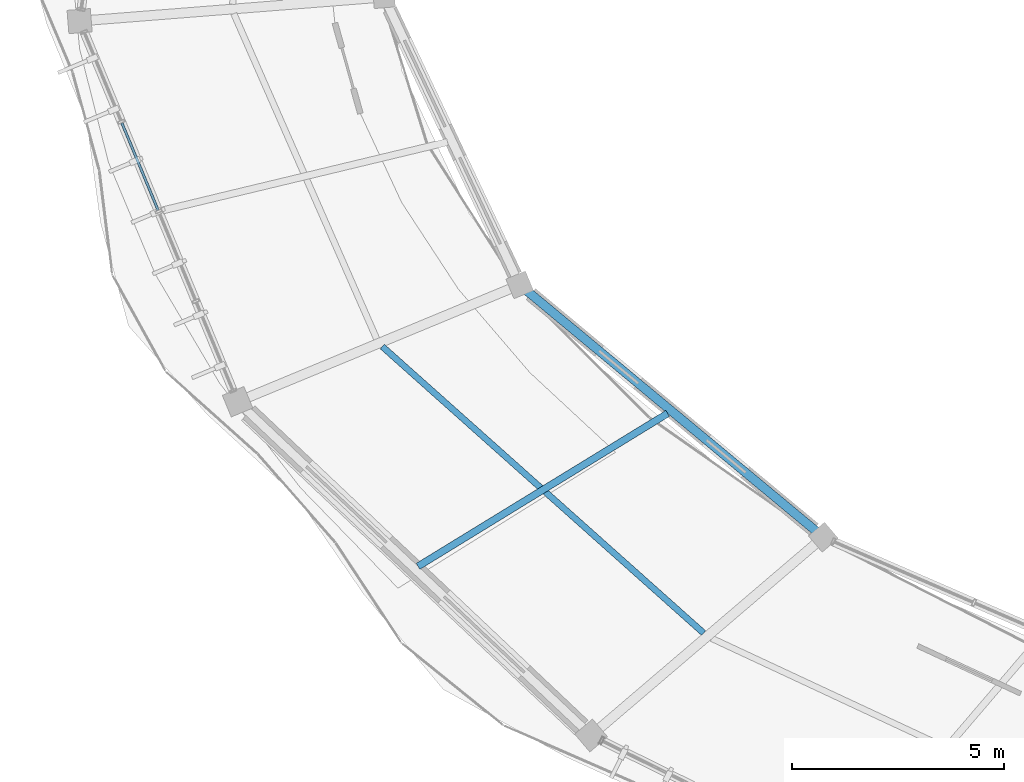
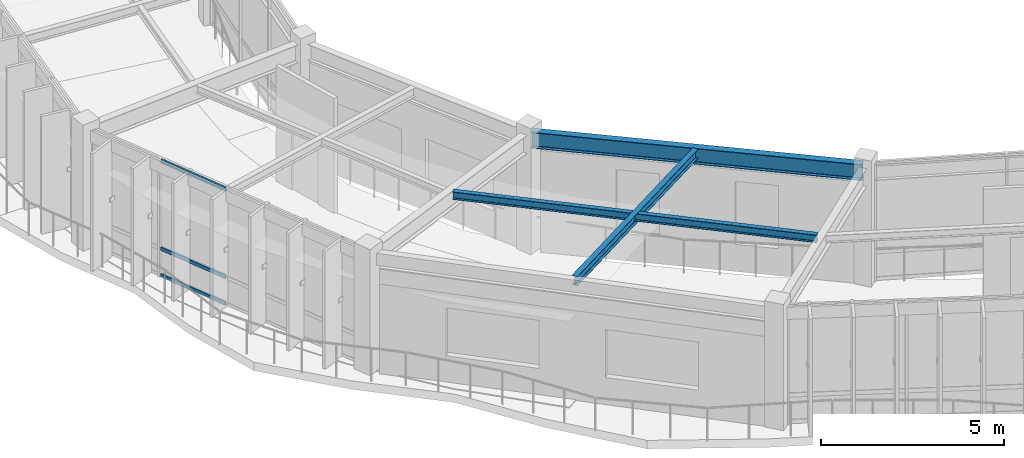
# One storey, part 9 of 79: 3 beams, 3 members, 1 element without a shape of its own.
"""IFC4 building model written with IfcOpenShell, lengths in metres."""

from ifc_helpers import new_model, si_unit, direction, frame, origin, origin_2d, place, context, subcontext, project, spatial, hollow_rectangle, i_section, extrude, material, material_profile, profile_set, type_object, element, aggregate, save


model = new_model("IFC4")

# Units and contexts
model_context = context("Model", 3, precision=1e-05, world=origin(), true_north=direction((0.0, 1.0)))
body_context = subcontext(model_context, "Body", "Model", "MODEL_VIEW")
ifc_project = project(units=[si_unit("LENGTHUNIT", "METRE"), si_unit("AREAUNIT", "SQUARE_METRE"), si_unit("VOLUMEUNIT", "CUBIC_METRE"), si_unit("PLANEANGLEUNIT", "RADIAN"), si_unit("MASSUNIT", "GRAM", prefix="KILO"), si_unit("THERMODYNAMICTEMPERATUREUNIT", "KELVIN"), si_unit("POWERUNIT", "WATT")], contexts=[model_context])

# Site, building, storey
site_placement = place(None, origin())
site = spatial("IfcSite", under=ifc_project, at=site_placement, CompositionType="ELEMENT")
building_placement = place(site_placement, origin())
building = spatial("IfcBuilding", under=site, at=building_placement, Name="Darbajah Civic Hall", CompositionType="ELEMENT")
storey_placement = place(building_placement, frame((0.0, 0.0, 22.199951171875)))
storey = spatial("IfcBuildingStorey", under=building, at=storey_placement, Name="L05", CompositionType="ELEMENT", Elevation=22.199951171875)

# Curtain wall, members
ifc_material_1 = material(Name="Anodised Bronze Aluminium and Low-E Glazing", Category="aluminium")
curtain_wall_type = type_object("IfcCurtainWallType", Name="Unitised Curtain Wall CW-82 9200x3900", PredefinedType="USERDEFINED", material=ifc_material_1)
curtain_wall_placement = place(storey_placement, origin())
curtain_wall = element("IfcCurtainWall", 1, at=curtain_wall_placement, inside=storey, type_object=curtain_wall_type, Name="L05 unitised curtain wall CW-V1O-L05-10", ObjectType="UNITISED CURTAIN WALL", PredefinedType="USERDEFINED")
ifc_material_2 = material(Name="Anodised Bronze Aluminium", Category="aluminium")
ifc_material_profile_1 = material_profile(ifc_material_2, hollow_rectangle(XDim=0.06005859375, YDim=0.1201171875, WallThickness=0.003173828125, at=origin_2d()), Name="ALU TRANSOM 60x120")
ifc_profile_set_1 = profile_set([ifc_material_profile_1], Name="Anodised Bronze Aluminium")
member_type = type_object("IfcMemberType", Name="ALU TRANSOM 60x120", PredefinedType="USERDEFINED", material=ifc_profile_set_1)
member_1_placement = place(storey_placement, frame((39.2548828125, 85.08154296875, 0.06005859375), z_axis=(0.383358207666, -0.923599742646, 0.0), x_axis=(0.923599742646, 0.383358207666, 0.0)))
member_1 = element("IfcMember", 2, at=member_1_placement, type_object=member_type, Name="CW-V1O-L05-10 transom 2.1", ObjectType="TRANSOM", PredefinedType="USERDEFINED", context=body_context, shape_type="SweptSolid", body=[
    extrude(hollow_rectangle(XDim=0.06005859375, YDim=0.1201171875, WallThickness=0.003173828125, at=origin_2d()), origin(), (0.0, 0.0, 1.0), 2.220703125),
])
member_2_placement = place(storey_placement, frame((39.2548828125, 85.08154296875, 0.949951171875), z_axis=(0.383358207666, -0.923599742646, 0.0), x_axis=(0.923599742646, 0.383358207666, 0.0)))
member_2 = element("IfcMember", 3, at=member_2_placement, type_object=member_type, Name="CW-V1O-L05-10 transom 2.2", ObjectType="TRANSOM", PredefinedType="USERDEFINED", context=body_context, shape_type="SweptSolid", body=[
    extrude(hollow_rectangle(XDim=0.06005859375, YDim=0.1201171875, WallThickness=0.003173828125, at=origin_2d()), origin(), (0.0, 0.0, 1.0), 2.220703125),
])
member_3_placement = place(storey_placement, frame((39.2548828125, 85.08154296875, 3.860107421875), z_axis=(0.383358207666, -0.923599742646, 0.0), x_axis=(0.923599742646, 0.383358207666, 0.0)))
member_3 = element("IfcMember", 4, at=member_3_placement, type_object=member_type, Name="CW-V1O-L05-10 transom 2.3", ObjectType="TRANSOM", PredefinedType="USERDEFINED", context=body_context, shape_type="SweptSolid", body=[
    extrude(hollow_rectangle(XDim=0.06005859375, YDim=0.1201171875, WallThickness=0.003173828125, at=origin_2d()), origin(), (0.0, 0.0, 1.0), 2.220703125),
])
aggregate(curtain_wall, [member_1, member_2, member_3])

# Beams
ifc_material_3 = material(Name="Steel S355JR", Category="steel")
ifc_material_profile_2 = material_profile(ifc_material_3, i_section(OverallWidth=0.146484375, OverallDepth=0.256103515625, WebThickness=0.00634765625, FlangeThickness=0.010986328125, FilletRadius=0.007568359375, at=origin_2d()), Name="UB 254x146x37")
ifc_profile_set_2 = profile_set([ifc_material_profile_2], Name="Steel S355JR")
beam_type_1 = type_object("IfcBeamType", Name="UB 254x146x37", PredefinedType="JOIST", material=ifc_profile_set_2)
beam_1_placement = place(storey_placement, frame((45.394775390625, 79.811279296875, 3.7919921875), z_axis=(0.74637325764, -0.665527580405, 0.0), x_axis=(0.665527580405, 0.74637325764, 0.0)))
element("IfcBeam", 5, at=beam_1_placement, inside=storey, type_object=beam_type_1, Name="L05 beam SJ-254", PredefinedType="JOIST", context=body_context, shape_type="SweptSolid", body=[
    extrude(i_section(OverallWidth=0.146484375, OverallDepth=0.256103515625, WebThickness=0.00634765625, FlangeThickness=0.010986328125, FilletRadius=0.007568359375, at=origin_2d()), origin(), (0.0, 0.0, 1.0), 10.149658203125),
])
ifc_material_profile_3 = material_profile(ifc_material_3, i_section(OverallWidth=0.165771484375, OverallDepth=0.306640625, WebThickness=0.006591796875, FlangeThickness=0.01171875, FilletRadius=0.0087890625, at=origin_2d()), Name="UB 305x165x46")
ifc_profile_set_3 = profile_set([ifc_material_profile_3], Name="Steel S355JR")
beam_type_2 = type_object("IfcBeamType", Name="UB 305x165x46", PredefinedType="JOIST", material=ifc_profile_set_3)
beam_2_placement = place(storey_placement, frame((52.123779296875, 78.236328125, 3.766845703125), z_axis=(-0.852640388105, -0.522498199588, 0.0), x_axis=(0.522498199588, -0.852640388105, 0.0)))
element("IfcBeam", 6, at=beam_2_placement, inside=storey, type_object=beam_type_2, Name="L05 beam SJ-305", PredefinedType="JOIST", context=body_context, shape_type="SweptSolid", body=[
    extrude(i_section(OverallWidth=0.165771484375, OverallDepth=0.306640625, WebThickness=0.006591796875, FlangeThickness=0.01171875, FilletRadius=0.0087890625, at=origin_2d()), origin(), (0.0, 0.0, 1.0), 6.9033203125),
])
ifc_material_profile_4 = material_profile(ifc_material_3, i_section(OverallWidth=0.209228515625, OverallDepth=0.533203125, WebThickness=0.010009765625, FlangeThickness=0.015625, FilletRadius=0.0126953125, at=origin_2d()), Name="UB 533x210x92")
ifc_profile_set_4 = profile_set([ifc_material_profile_4], Name="Steel S355JR")
beam_type_3 = type_object("IfcBeamType", Name="UB 533x210x92", PredefinedType="BEAM", material=ifc_profile_set_4)
beam_3_placement = place(storey_placement, frame((48.695556640625, 81.215087890625, 3.653564453125), z_axis=(0.769165350471, -0.63904981311, 0.0), x_axis=(0.63904981311, 0.769165350471, 0.0)))
element("IfcBeam", 7, at=beam_3_placement, inside=storey, type_object=beam_type_3, Name="L05 beam SB-533", PredefinedType="BEAM", context=body_context, shape_type="SweptSolid", body=[
    extrude(i_section(OverallWidth=0.209228515625, OverallDepth=0.533203125, WebThickness=0.010009765625, FlangeThickness=0.015625, FilletRadius=0.0126953125, at=origin_2d()), origin(), (0.0, 0.0, 1.0), 9.14892578125),
])

save(model, "model.ifc")
